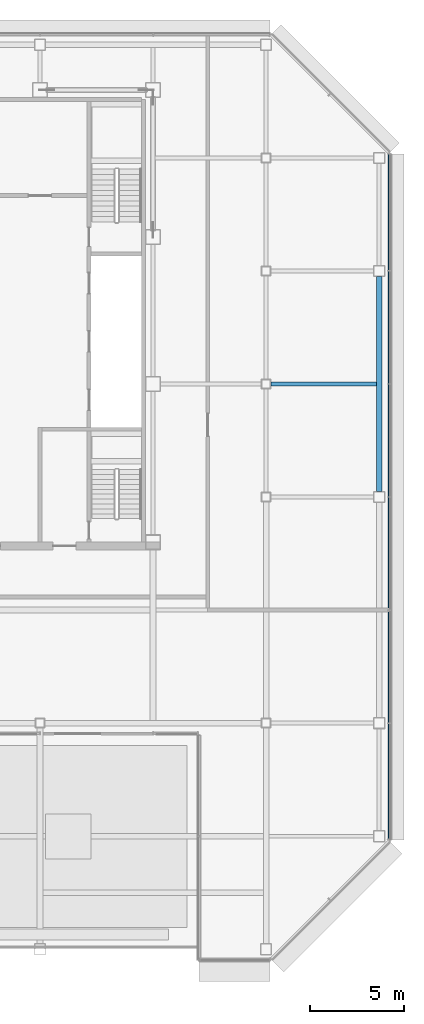
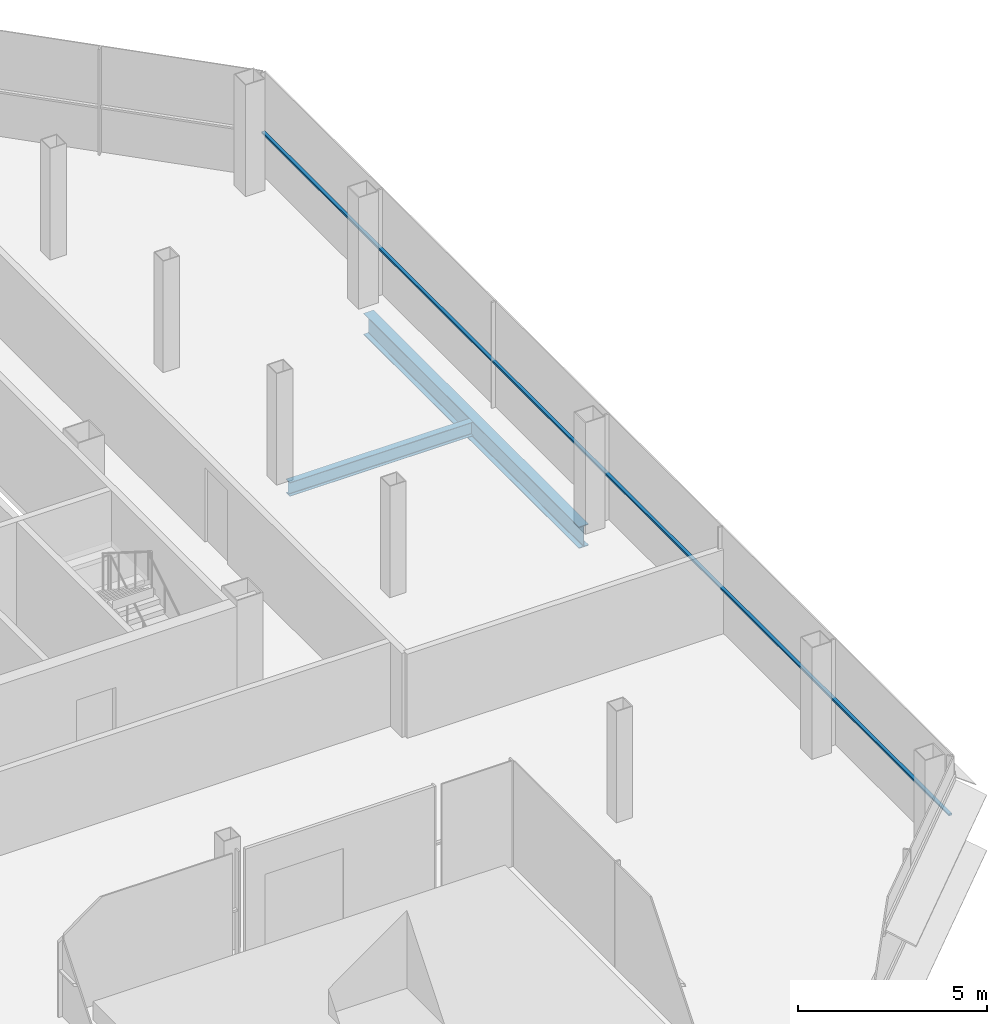
# One storey, part 19 of 30: 2 beams, 1 member, 1 element without a shape of its own.
"""IFC4 building model written with IfcOpenShell, lengths in metres."""

from ifc_helpers import new_model, si_unit, direction, frame, origin, origin_2d, place, context, subcontext, project, spatial, rectangle, i_section, extrude, material, material_profile, profile_set, type_object, element, aggregate, save


model = new_model("IFC4")

# Units and contexts
model_context = context("Model", 3, precision=1e-05, world=origin(), true_north=direction((0.0, 1.0)))
body_context = subcontext(model_context, "Body", "Model", "MODEL_VIEW")
ifc_project = project(units=[si_unit("LENGTHUNIT", "METRE"), si_unit("AREAUNIT", "SQUARE_METRE"), si_unit("VOLUMEUNIT", "CUBIC_METRE"), si_unit("PLANEANGLEUNIT", "RADIAN"), si_unit("MASSUNIT", "GRAM", prefix="KILO")], contexts=[model_context])

# Site, building, storey
site_placement = place(None, origin())
site = spatial("IfcSite", under=ifc_project, at=site_placement, CompositionType="ELEMENT")
building_placement = place(site_placement, origin())
building = spatial("IfcBuilding", under=site, at=building_placement, Name="Sorahane Residences", CompositionType="ELEMENT")
storey_placement = place(building_placement, frame((0.0, 0.0, 263.0)))
storey = spatial("IfcBuildingStorey", under=building, at=storey_placement, Name="L62", CompositionType="ELEMENT", Elevation=263.0)

# Curtain wall, member
ifc_material_1 = material(Name="Dark low-e glass and black anodised aluminium", Category="aluminium")
curtain_wall_type = type_object("IfcCurtainWallType", Name="Curtain wall CW-1 Typical unitised wall", PredefinedType="NOTDEFINED", material=ifc_material_1)
curtain_wall_placement = place(storey_placement, origin())
curtain_wall = element("IfcCurtainWall", 1, at=curtain_wall_placement, inside=storey, type_object=curtain_wall_type, Name="CW-1 curtain wall L62 E2", PredefinedType="NOTDEFINED")
ifc_material_2 = material(Name="Black anodised aluminium", Category="aluminium")
ifc_material_profile_1 = material_profile(ifc_material_2, rectangle(XDim=0.10009765625, YDim=0.06005859375, at=origin_2d()), Name="Curtain wall transom CW-1 black anodised aluminium 60x100")
ifc_profile_set_1 = profile_set([ifc_material_profile_1], Name="Black anodised aluminium")
member_type = type_object("IfcMemberType", Name="Curtain wall transom CW-1 black anodised aluminium 60x100", PredefinedType="USERDEFINED", material=ifc_profile_set_1)
member_placement = place(storey_placement, frame((54.530029296875, 5.801513671875, 1.5), z_axis=(0.0, 1.0, 0.0), x_axis=(-1.0, 0.0, 0.0)))
member = element("IfcMember", 2, at=member_placement, type_object=member_type, Name="CW-1 transom L62 E2", ObjectType="TRANSOM", PredefinedType="USERDEFINED", context=body_context, shape_type="SweptSolid", body=[
    extrude(rectangle(XDim=0.10009765625, YDim=0.06005859375, at=origin_2d()), origin(), (0.0, 0.0, 1.0), 36.39697265625),
])
aggregate(curtain_wall, [member])

# Beams
ifc_material_3 = material(Name="Steel Q355B", Category="steel")
ifc_material_profile_2 = material_profile(ifc_material_3, i_section(OverallWidth=0.199951171875, OverallDepth=0.449951171875, WebThickness=0.009033203125, FlangeThickness=0.013916015625, FilletRadius=0.02001953125, at=origin_2d()), Name="HN 450x200x9x14")
ifc_profile_set_2 = profile_set([ifc_material_profile_2], Name="Steel Q355B")
beam_type_1 = type_object("IfcBeamType", Name="Steel floor beam HN 450x200x9x14 Q355B", PredefinedType="BEAM", material=ifc_profile_set_2)
beam_1_placement = place(storey_placement, frame((48.25, 30.0, -0.405029296875), z_axis=(1.0, 0.0, 0.0), x_axis=(0.0, 1.0, 0.0)))
element("IfcBeam", 3, at=beam_1_placement, inside=storey, type_object=beam_type_1, Name="Beam L62 083", PredefinedType="BEAM", context=body_context, shape_type="SweptSolid", body=[
    extrude(i_section(OverallWidth=0.199951171875, OverallDepth=0.449951171875, WebThickness=0.009033203125, FlangeThickness=0.013916015625, FilletRadius=0.02001953125, at=origin_2d()), origin(), (0.0, 0.0, 1.0), 5.60009765625),
])
ifc_material_4 = material(Name="Steel Q355B", Category="steel")
ifc_material_profile_3 = material_profile(ifc_material_4, i_section(OverallWidth=0.300048828125, OverallDepth=0.699951171875, WebThickness=0.012939453125, FlangeThickness=0.02392578125, FilletRadius=0.028076171875, at=origin_2d()), Name="HN 700x300x13x24")
ifc_profile_set_3 = profile_set([ifc_material_profile_3], Name="Steel Q355B")
beam_type_2 = type_object("IfcBeamType", Name="Steel floor beam HN 700x300x13x24 Q355B", PredefinedType="BEAM", material=ifc_profile_set_3)
beam_2_placement = place(storey_placement, frame((54.0, 24.300048828125, -0.530029296875), z_axis=(0.0, 1.0, 0.0), x_axis=(-1.0, 0.0, 0.0)))
element("IfcBeam", 4, at=beam_2_placement, inside=storey, type_object=beam_type_2, Name="Beam L62 063", PredefinedType="BEAM", context=body_context, shape_type="SweptSolid", body=[
    extrude(i_section(OverallWidth=0.300048828125, OverallDepth=0.699951171875, WebThickness=0.012939453125, FlangeThickness=0.02392578125, FilletRadius=0.028076171875, at=origin_2d()), origin(), (0.0, 0.0, 1.0), 11.39990234375),
])

save(model, "model.ifc")
